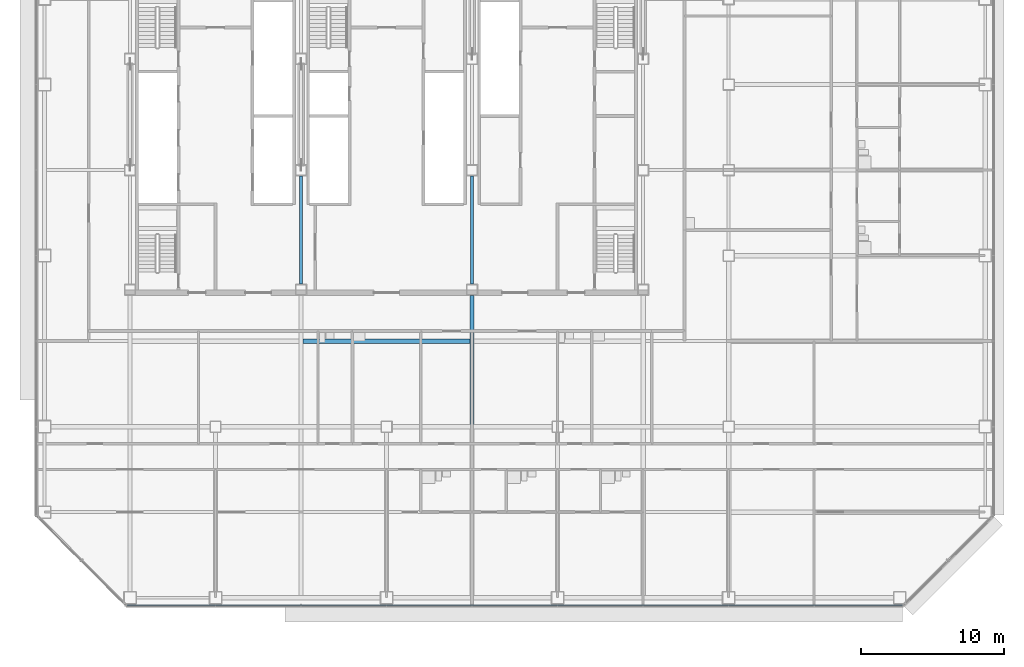
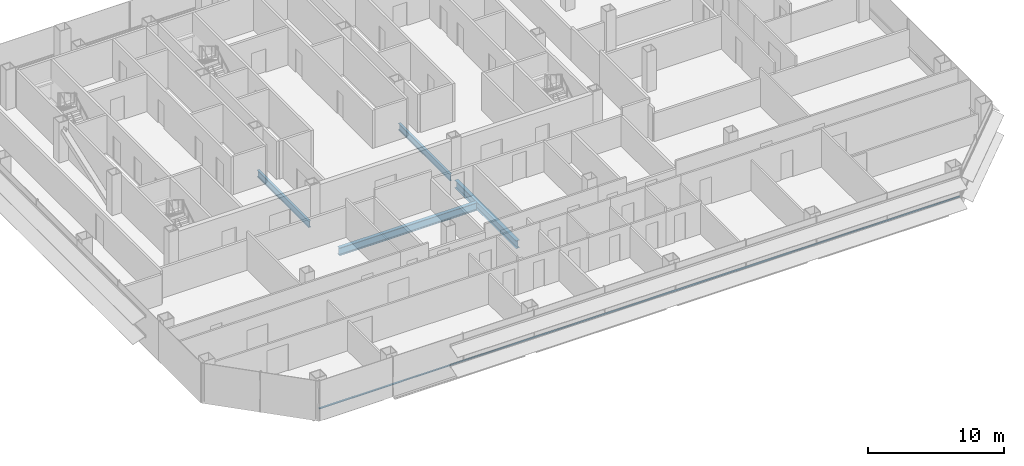
# One storey, part 7 of 26: 4 beams, 1 member, 1 element without a shape of its own.
"""IFC4 building model written with IfcOpenShell, lengths in metres."""

from ifc_helpers import new_model, si_unit, direction, frame, origin, origin_2d, place, context, subcontext, project, spatial, rectangle, i_section, extrude, material, material_profile, profile_set, type_object, element, aggregate, save


model = new_model("IFC4")

# Units and contexts
model_context = context("Model", 3, precision=1e-05, world=origin(), true_north=direction((0.0, 1.0)))
body_context = subcontext(model_context, "Body", "Model", "MODEL_VIEW")
ifc_project = project(units=[si_unit("LENGTHUNIT", "METRE"), si_unit("AREAUNIT", "SQUARE_METRE"), si_unit("VOLUMEUNIT", "CUBIC_METRE"), si_unit("PLANEANGLEUNIT", "RADIAN"), si_unit("MASSUNIT", "GRAM", prefix="KILO")], contexts=[model_context])

# Site, building, storey
site_placement = place(None, origin())
site = spatial("IfcSite", under=ifc_project, at=site_placement, CompositionType="ELEMENT")
building_placement = place(site_placement, origin())
building = spatial("IfcBuilding", under=site, at=building_placement, Name="Sorahane Residences", CompositionType="ELEMENT")
storey_placement = place(building_placement, frame((0.0, 0.0, 64.199951171875)))
storey = spatial("IfcBuildingStorey", under=building, at=storey_placement, Name="L12", CompositionType="ELEMENT", Elevation=64.199951171875)

# Curtain wall, member
ifc_material_1 = material(Name="Dark low-e glass and black anodised aluminium", Category="aluminium")
curtain_wall_type = type_object("IfcCurtainWallType", Name="Curtain wall CW-1 Typical unitised wall", PredefinedType="NOTDEFINED", material=ifc_material_1)
curtain_wall_placement = place(storey_placement, origin())
curtain_wall = element("IfcCurtainWall", 1, at=curtain_wall_placement, inside=storey, type_object=curtain_wall_type, Name="CW-1 curtain wall L12 S1", PredefinedType="NOTDEFINED")
ifc_material_2 = material(Name="Black anodised aluminium", Category="aluminium")
ifc_material_profile_1 = material_profile(ifc_material_2, rectangle(XDim=0.10009765625, YDim=0.06005859375, at=origin_2d()), Name="Curtain wall transom CW-1 black anodised aluminium 60x100")
ifc_profile_set_1 = profile_set([ifc_material_profile_1], Name="Black anodised aluminium")
member_type = type_object("IfcMemberType", Name="Curtain wall transom CW-1 black anodised aluminium 60x100", PredefinedType="USERDEFINED", material=ifc_profile_set_1)
member_placement = place(storey_placement, frame((5.801513671875, -0.530029296875, 0.900146484375), z_axis=(1.0, 0.0, 0.0), x_axis=(0.0, 1.0, 0.0)))
member = element("IfcMember", 2, at=member_placement, type_object=member_type, Name="CW-1 transom L12 S1", ObjectType="TRANSOM", PredefinedType="USERDEFINED", context=body_context, shape_type="SweptSolid", body=[
    extrude(rectangle(XDim=0.10009765625, YDim=0.06005859375, at=origin_2d()), origin(), (0.0, 0.0, 1.0), 54.39697265625),
])
aggregate(curtain_wall, [member])

# Beams
ifc_material_3 = material(Name="Steel Q355B", Category="steel")
ifc_material_profile_2 = material_profile(ifc_material_3, i_section(OverallWidth=0.199951171875, OverallDepth=0.60009765625, WebThickness=0.010986328125, FlangeThickness=0.01708984375, FilletRadius=0.02392578125, at=origin_2d()), Name="HN 600x200x11x17")
ifc_profile_set_2 = profile_set([ifc_material_profile_2], Name="Steel Q355B")
beam_type_1 = type_object("IfcBeamType", Name="Steel floor beam HN 600x200x11x17 Q355B", PredefinedType="BEAM", material=ifc_profile_set_2)
for number, where, z_axis, x_axis, name in (
    (3, (18.0, 22.0, -0.47998046875), (0.0, 1.0, 0.0), (-1.0, 0.0, 0.0), "Beam L12 031"),
    (4, (30.0, 22.0, -0.47998046875), (0.0, 1.0, 0.0), (-1.0, 0.0, 0.0), "Beam L12 039"),
):
    element("IfcBeam", number, at=place(storey_placement, frame(where, z_axis=z_axis, x_axis=x_axis)), inside=storey, type_object=beam_type_1, Name=name, PredefinedType="BEAM", context=body_context, shape_type="SweptSolid", body=[
        extrude(i_section(OverallWidth=0.199951171875, OverallDepth=0.60009765625, WebThickness=0.010986328125, FlangeThickness=0.01708984375, FilletRadius=0.02392578125, at=origin_2d()), origin(), (0.0, 0.0, 1.0), 7.60009765625),
    ])
ifc_material_4 = material(Name="Steel Q355B", Category="steel")
ifc_material_profile_3 = material_profile(ifc_material_4, i_section(OverallWidth=0.300048828125, OverallDepth=0.699951171875, WebThickness=0.012939453125, FlangeThickness=0.02392578125, FilletRadius=0.028076171875, at=origin_2d()), Name="HN 700x300x13x24")
ifc_profile_set_3 = profile_set([ifc_material_profile_3], Name="Steel Q355B")
beam_type_2 = type_object("IfcBeamType", Name="Steel floor beam HN 700x300x13x24 Q355B", PredefinedType="BEAM", material=ifc_profile_set_3)
beam_1_placement = place(storey_placement, frame((30.0, 12.14990234375, -0.530029296875), z_axis=(0.0, 1.0, 0.0), x_axis=(-1.0, 0.0, 0.0)))
element("IfcBeam", 5, at=beam_1_placement, inside=storey, type_object=beam_type_2, Name="Beam L12 038", PredefinedType="BEAM", context=body_context, shape_type="SweptSolid", body=[
    extrude(i_section(OverallWidth=0.300048828125, OverallDepth=0.699951171875, WebThickness=0.012939453125, FlangeThickness=0.02392578125, FilletRadius=0.028076171875, at=origin_2d()), origin(), (0.0, 0.0, 1.0), 9.050048828125),
])
beam_2_placement = place(storey_placement, frame((18.14990234375, 18.0, -0.530029296875), z_axis=(1.0, 0.0, 0.0), x_axis=(0.0, 1.0, 0.0)))
element("IfcBeam", 6, at=beam_2_placement, inside=storey, type_object=beam_type_2, Name="Beam L12 072", PredefinedType="BEAM", context=body_context, shape_type="SweptSolid", body=[
    extrude(i_section(OverallWidth=0.300048828125, OverallDepth=0.699951171875, WebThickness=0.012939453125, FlangeThickness=0.02392578125, FilletRadius=0.028076171875, at=origin_2d()), origin(), (0.0, 0.0, 1.0), 11.7001953125),
])

save(model, "model.ifc")
